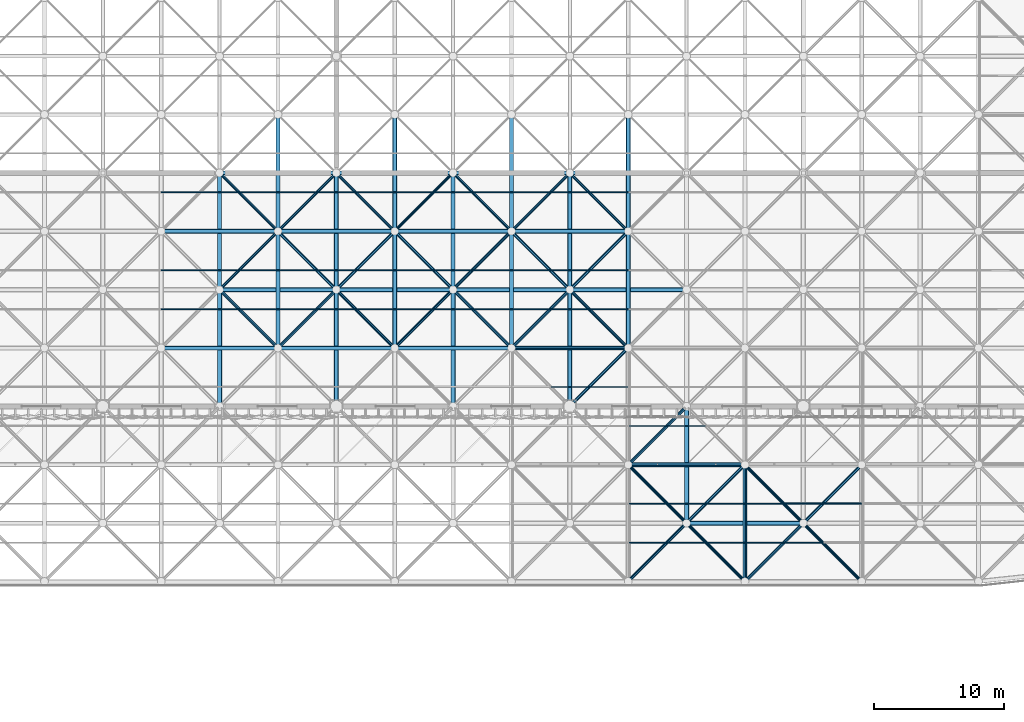
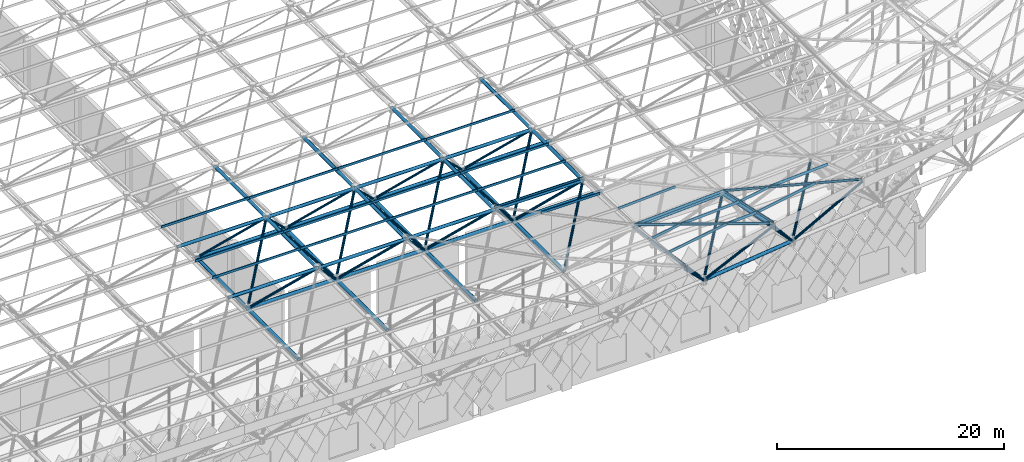
# One storey, part 87 of 437: 93 members.
"""IFC4 building model written with IfcOpenShell, lengths in metres."""

from ifc_helpers import new_model, si_unit, direction, frame, origin, origin_2d, place, context, subcontext, project, spatial, polyline, hollow_circle, outline, extrude, material, material_profile, profile_set, type_object, element, save


model = new_model("IFC4")

# Units and contexts
model_context = context("Model", 3, precision=1e-05, world=origin(), true_north=direction((0.0, 1.0)))
body_context = subcontext(model_context, "Body", "Model", "MODEL_VIEW")
ifc_project = project(units=[si_unit("LENGTHUNIT", "METRE"), si_unit("AREAUNIT", "SQUARE_METRE"), si_unit("VOLUMEUNIT", "CUBIC_METRE"), si_unit("PLANEANGLEUNIT", "RADIAN"), si_unit("MASSUNIT", "GRAM", prefix="KILO")], contexts=[model_context])

# Site, building, storey
site_placement = place(None, origin())
site = spatial("IfcSite", under=ifc_project, at=site_placement, CompositionType="ELEMENT")
building_placement = place(site_placement, origin())
building = spatial("IfcBuilding", under=site, at=building_placement, Name="Opaline Strait Convention Centre", CompositionType="ELEMENT")
storey_placement = place(building_placement, frame((0.0, 0.0, 11.5)))
storey = spatial("IfcBuildingStorey", under=building, at=storey_placement, Name="L02", CompositionType="ELEMENT", Elevation=11.5)

# Members
ifc_material = material(Name="Steel Q355B", Category="steel")
ifc_material_profile_1 = material_profile(ifc_material, outline(polyline([(-0.03759765625, -0.125), (0.03759765625, -0.125), (0.03759765625, -0.10498046875), (0.034912109375, -0.10498046875), (0.034912109375, -0.12255859375), (-0.034912109375, -0.12255859375), (-0.034912109375, 0.12255859375), (0.034912109375, 0.12255859375), (0.034912109375, 0.10498046875), (0.03759765625, 0.10498046875), (0.03759765625, 0.125), (-0.03759765625, 0.125), (-0.03759765625, -0.125)])), Name="C 250x75x20x2.5")
ifc_profile_set_1 = profile_set([ifc_material_profile_1], Name="Steel Q355B")
member_type_1 = type_object("IfcMemberType", Name="Roof purlin C 250x75x20x2.5", PredefinedType="PURLIN", material=ifc_profile_set_1)
member_1_placement = place(storey_placement, frame((238.5, 40.5, 21.121826171875), z_axis=(-0.694204223982, 0.694204223982, -0.190160434401), x_axis=(-0.717833830455, -0.687135763969, 0.112067094763)))
element("IfcMember", 1, at=member_1_placement, inside=storey, type_object=member_type_1, Name="EXB-RF-F-16-0", PredefinedType="PURLIN", context=body_context, shape_type="SweptSolid", body=[
    extrude(outline(polyline([(-0.03759765625, -0.125), (0.03759765625, -0.125), (0.03759765625, -0.10498046875), (0.034912109375, -0.10498046875), (0.034912109375, -0.12255859375), (-0.034912109375, -0.12255859375), (-0.034912109375, 0.12255859375), (0.034912109375, 0.12255859375), (0.034912109375, 0.10498046875), (0.03759765625, 0.10498046875), (0.03759765625, 0.125), (-0.03759765625, 0.125), (-0.03759765625, -0.125)])), origin(), (0.0, 0.0, 1.0), 12.964599609375),
])
member_2_placement = place(storey_placement, frame((229.449951171875, 49.434326171875, 18.671630859375), z_axis=(0.998533323421, 0.0, 0.054140576451), x_axis=(0.011602359597, 0.976767751484, -0.213986319453)))
element("IfcMember", 2, at=member_2_placement, inside=storey, type_object=member_type_1, Name="EXB-RF-E-16-0a", PredefinedType="PURLIN", context=body_context, shape_type="SweptSolid", body=[
    extrude(outline(polyline([(-0.03759765625, -0.125), (0.03759765625, -0.125), (0.03759765625, -0.10498046875), (0.034912109375, -0.10498046875), (0.034912109375, -0.12255859375), (-0.034912109375, -0.12255859375), (-0.034912109375, 0.12255859375), (0.034912109375, 0.12255859375), (0.034912109375, 0.10498046875), (0.03759765625, 0.10498046875), (0.03759765625, 0.125), (-0.03759765625, 0.125), (-0.03759765625, -0.125)])), origin(), (0.0, 0.0, 1.0), 9.113525390625),
])
member_3_placement = place(storey_placement, frame((235.550048828125, 43.5, 20.30615234375), z_axis=(0.998533955365, 0.0, 0.054128920033), x_axis=(0.011616101995, 0.976701876974, -0.214286046418)))
element("IfcMember", 3, at=member_3_placement, inside=storey, type_object=member_type_1, Name="EXB-RF-P-16-0-0a", PredefinedType="PURLIN", context=body_context, shape_type="SweptSolid", body=[
    extrude(outline(polyline([(-0.03759765625, -0.125), (0.03759765625, -0.125), (0.03759765625, -0.10498046875), (0.034912109375, -0.10498046875), (0.034912109375, -0.12255859375), (-0.034912109375, -0.12255859375), (-0.034912109375, 0.12255859375), (0.034912109375, 0.12255859375), (0.034912109375, 0.10498046875), (0.03759765625, 0.10498046875), (0.03759765625, 0.125), (-0.03759765625, 0.125), (-0.03759765625, -0.125)])), origin(), (0.0, 0.0, 1.0), 2.954345703125),
])
member_4_placement = place(storey_placement, frame((232.550048828125, 46.5, 19.484375), z_axis=(0.998534204977, 0.0, 0.05412431516), x_axis=(0.011615113786, 0.976701876974, -0.214286099985)))
element("IfcMember", 4, at=member_4_placement, inside=storey, type_object=member_type_1, Name="EXB-RF-P-16-0-1a", PredefinedType="PURLIN", context=body_context, shape_type="SweptSolid", body=[
    extrude(outline(polyline([(-0.03759765625, -0.125), (0.03759765625, -0.125), (0.03759765625, -0.10498046875), (0.034912109375, -0.10498046875), (0.034912109375, -0.12255859375), (-0.034912109375, -0.12255859375), (-0.034912109375, 0.12255859375), (0.034912109375, 0.12255859375), (0.034912109375, 0.10498046875), (0.03759765625, 0.10498046875), (0.03759765625, 0.125), (-0.03759765625, 0.125), (-0.03759765625, -0.125)])), origin(), (0.0, 0.0, 1.0), 5.958740234375),
])
member_5_placement = place(storey_placement, frame((229.594482421875, 43.5, 19.30224609375), z_axis=(0.985905248574, 0.0, 0.167304634827), x_axis=(0.017342598278, 0.994612915883, -0.102197758502)))
element("IfcMember", 5, at=member_5_placement, inside=storey, type_object=member_type_1, Name="EXB-RF-P-16-0-0b", PredefinedType="PURLIN", context=body_context, shape_type="SweptSolid", body=[
    extrude(outline(polyline([(-0.03759765625, -0.125), (0.03759765625, -0.125), (0.03759765625, -0.10498046875), (0.034912109375, -0.10498046875), (0.034912109375, -0.12255859375), (-0.034912109375, -0.12255859375), (-0.034912109375, 0.12255859375), (0.034912109375, 0.12255859375), (0.034912109375, 0.10498046875), (0.03759765625, 0.10498046875), (0.03759765625, 0.125), (-0.03759765625, 0.125), (-0.03759765625, -0.125)])), origin(), (0.0, 0.0, 1.0), 5.939208984375),
])
member_6_placement = place(storey_placement, frame((229.594482421875, 46.5, 18.989501953125), z_axis=(0.985902048342, 0.0, 0.167323492301), x_axis=(0.017344553021, 0.994612915883, -0.10219742677)))
element("IfcMember", 6, at=member_6_placement, inside=storey, type_object=member_type_1, Name="EXB-RF-P-16-0-1b", PredefinedType="PURLIN", context=body_context, shape_type="SweptSolid", body=[
    extrude(outline(polyline([(-0.03759765625, -0.125), (0.03759765625, -0.125), (0.03759765625, -0.10498046875), (0.034912109375, -0.10498046875), (0.034912109375, -0.12255859375), (-0.034912109375, -0.12255859375), (-0.034912109375, 0.12255859375), (0.034912109375, 0.12255859375), (0.034912109375, 0.10498046875), (0.03759765625, 0.10498046875), (0.03759765625, 0.125), (-0.03759765625, 0.125), (-0.03759765625, -0.125)])), origin(), (0.0, 0.0, 1.0), 2.896240234375),
])
member_7_placement = place(storey_placement, frame((247.5, 40.5, 22.706787109375), z_axis=(-0.680936695779, 0.680936695779, -0.269537442079), x_axis=(-0.712454430671, -0.701135507774, 0.028595173634)))
element("IfcMember", 7, at=member_7_placement, inside=storey, type_object=member_type_1, Name="EXB-RF-F-17-0", PredefinedType="PURLIN", context=body_context, shape_type="SweptSolid", body=[
    extrude(outline(polyline([(-0.03759765625, -0.125), (0.03759765625, -0.125), (0.03759765625, -0.10498046875), (0.034912109375, -0.10498046875), (0.034912109375, -0.12255859375), (-0.034912109375, -0.12255859375), (-0.034912109375, 0.12255859375), (0.034912109375, 0.12255859375), (0.034912109375, 0.10498046875), (0.03759765625, 0.10498046875), (0.03759765625, 0.125), (-0.03759765625, 0.125), (-0.03759765625, -0.125)])), origin(), (0.0, 0.0, 1.0), 13.217041015625),
])
member_8_placement = place(storey_placement, frame((241.550048828125, 46.5, 20.33935546875), z_axis=(0.998389085659, 0.0, 0.056738290741), x_axis=(0.01821382469, 0.94707421578, -0.320497560669)))
element("IfcMember", 8, at=member_8_placement, inside=storey, type_object=member_type_1, Name="EXB-RF-P-17-0-1a", PredefinedType="PURLIN", context=body_context, shape_type="SweptSolid", body=[
    extrude(outline(polyline([(-0.03759765625, -0.125), (0.03759765625, -0.125), (0.03759765625, -0.10498046875), (0.034912109375, -0.10498046875), (0.034912109375, -0.12255859375), (-0.034912109375, -0.12255859375), (-0.034912109375, 0.12255859375), (0.034912109375, 0.12255859375), (0.034912109375, 0.10498046875), (0.03759765625, 0.10498046875), (0.03759765625, 0.125), (-0.03759765625, 0.125), (-0.03759765625, -0.125)])), origin(), (0.0, 0.0, 1.0), 5.95947265625),
])
member_9_placement = place(storey_placement, frame((238.560302734375, 49.550048828125, 19.149169921875), z_axis=(0.0, -0.976700958406, 0.214604841159), x_axis=(0.985529741381, 0.036376076933, 0.165553344517)))
element("IfcMember", 9, at=member_9_placement, inside=storey, type_object=member_type_1, Name="EXB-RF-E-17-0b", PredefinedType="PURLIN", context=body_context, shape_type="SweptSolid", body=[
    extrude(outline(polyline([(-0.03759765625, -0.125), (0.03759765625, -0.125), (0.03759765625, -0.10498046875), (0.034912109375, -0.10498046875), (0.034912109375, -0.12255859375), (-0.034912109375, -0.12255859375), (-0.034912109375, 0.12255859375), (0.034912109375, 0.12255859375), (0.034912109375, 0.10498046875), (0.03759765625, 0.10498046875), (0.03759765625, 0.125), (-0.03759765625, 0.125), (-0.03759765625, -0.125)])), origin(), (0.0, 0.0, 1.0), 9.317138671875),
])
member_10_placement = place(storey_placement, frame((238.5947265625, 43.5, 20.484375), z_axis=(0.984841792486, 0.0, 0.17345501945), x_axis=(0.037223561752, 0.976701876974, -0.21134769922)))
element("IfcMember", 10, at=member_10_placement, inside=storey, type_object=member_type_1, Name="EXB-RF-P-17-0-0b", PredefinedType="PURLIN", context=body_context, shape_type="SweptSolid", body=[
    extrude(outline(polyline([(-0.03759765625, -0.125), (0.03759765625, -0.125), (0.03759765625, -0.10498046875), (0.034912109375, -0.10498046875), (0.034912109375, -0.12255859375), (-0.034912109375, -0.12255859375), (-0.034912109375, 0.12255859375), (0.034912109375, 0.12255859375), (0.034912109375, 0.10498046875), (0.03759765625, 0.10498046875), (0.03759765625, 0.125), (-0.03759765625, 0.125), (-0.03759765625, -0.125)])), origin(), (0.0, 0.0, 1.0), 5.9453125),
])
member_11_placement = place(storey_placement, frame((238.5947265625, 46.5, 19.8251953125), z_axis=(0.984838613321, 0.0, 0.173473069127), x_axis=(0.037227435225, 0.976701876974, -0.211347016969)))
element("IfcMember", 11, at=member_11_placement, inside=storey, type_object=member_type_1, Name="EXB-RF-P-17-0-1b", PredefinedType="PURLIN", context=body_context, shape_type="SweptSolid", body=[
    extrude(outline(polyline([(-0.03759765625, -0.125), (0.03759765625, -0.125), (0.03759765625, -0.10498046875), (0.034912109375, -0.10498046875), (0.034912109375, -0.12255859375), (-0.034912109375, -0.12255859375), (-0.034912109375, 0.12255859375), (0.034912109375, 0.12255859375), (0.034912109375, 0.10498046875), (0.03759765625, 0.10498046875), (0.03759765625, 0.125), (-0.03759765625, 0.125), (-0.03759765625, -0.125)])), origin(), (0.0, 0.0, 1.0), 2.899169921875),
])
member_12_placement = place(storey_placement, frame((229.550048828125, 58.45458984375, 18.259033203125), z_axis=(-1.0, 0.0, 0.0), x_axis=(0.0, -0.999004644434, 0.044606282058)))
element("IfcMember", 12, at=member_12_placement, inside=storey, type_object=member_type_1, Name="EXB-RF-E-15-1a", PredefinedType="PURLIN", context=body_context, shape_type="SweptSolid", body=[
    extrude(outline(polyline([(-0.03759765625, -0.125), (0.03759765625, -0.125), (0.03759765625, -0.10498046875), (0.034912109375, -0.10498046875), (0.034912109375, -0.12255859375), (-0.034912109375, -0.12255859375), (-0.034912109375, 0.12255859375), (0.034912109375, 0.12255859375), (0.034912109375, 0.10498046875), (0.03759765625, 0.10498046875), (0.03759765625, 0.125), (-0.03759765625, 0.125), (-0.03759765625, -0.125)])), origin(), (0.0, 0.0, 1.0), 9.10009765625),
])
member_13_placement = place(storey_placement, frame((223.550048828125, 55.5, 18.390869140625), z_axis=(1.0, 0.0, 0.0), x_axis=(0.0, 0.999004644434, -0.044606282058)))
element("IfcMember", 13, at=member_13_placement, inside=storey, type_object=member_type_1, Name="EXB-RF-P-15-1-1a", PredefinedType="PURLIN", context=body_context, shape_type="SweptSolid", body=[
    extrude(outline(polyline([(-0.03759765625, -0.125), (0.03759765625, -0.125), (0.03759765625, -0.10498046875), (0.034912109375, -0.10498046875), (0.034912109375, -0.12255859375), (-0.034912109375, -0.12255859375), (-0.034912109375, 0.12255859375), (0.034912109375, 0.12255859375), (0.034912109375, 0.10498046875), (0.03759765625, 0.10498046875), (0.03759765625, 0.125), (-0.03759765625, 0.125), (-0.03759765625, -0.125)])), origin(), (0.0, 0.0, 1.0), 5.949951171875),
])
member_14_placement = place(storey_placement, frame((229.5810546875, 52.5, 18.529541015625), z_axis=(0.998534214741, 0.0, 0.054124135023), x_axis=(0.002414276433, 0.999004644434, -0.044540898827)))
element("IfcMember", 14, at=member_14_placement, inside=storey, type_object=member_type_1, Name="EXB-RF-P-16-1-0b", PredefinedType="PURLIN", context=body_context, shape_type="SweptSolid", body=[
    extrude(outline(polyline([(-0.03759765625, -0.125), (0.03759765625, -0.125), (0.03759765625, -0.10498046875), (0.034912109375, -0.10498046875), (0.034912109375, -0.12255859375), (-0.034912109375, -0.12255859375), (-0.034912109375, 0.12255859375), (0.034912109375, 0.12255859375), (0.034912109375, 0.10498046875), (0.03759765625, 0.10498046875), (0.03759765625, 0.125), (-0.03759765625, 0.125), (-0.03759765625, -0.125)])), origin(), (0.0, 0.0, 1.0), 5.87744140625),
])
for number, where, z_axis, x_axis, name in (
    (15, (193.5, 61.5, 18.257080078125), (1.0, 0.0, 0.0), (0.0, 1.0, 0.0), "EXB-RF-P-12-2-0"),
    (16, (193.5, 64.5, 18.257080078125), (1.0, 0.0, 0.0), (0.0, 1.0, 0.0), "EXB-RF-P-12-2-1"),
    (17, (202.5, 61.5, 18.257080078125), (1.0, 0.0, 0.0), (0.0, 1.0, 0.0), "EXB-RF-P-13-2-0"),
    (18, (202.5, 64.5, 18.257080078125), (1.0, 0.0, 0.0), (0.0, 1.0, 0.0), "EXB-RF-P-13-2-1"),
    (19, (211.5, 61.5, 18.257080078125), (1.0, 0.0, 0.0), (0.0, 1.0, 0.0), "EXB-RF-P-14-2-0"),
    (20, (211.5, 64.5, 18.257080078125), (1.0, 0.0, 0.0), (0.0, 1.0, 0.0), "EXB-RF-P-14-2-1"),
    (21, (220.5, 61.5, 18.257080078125), (1.0, 0.0, 0.0), (0.0, 1.0, 0.0), "EXB-RF-P-15-2-0"),
    (22, (220.5, 64.5, 18.257080078125), (1.0, 0.0, 0.0), (0.0, 1.0, 0.0), "EXB-RF-P-15-2-1"),
    (23, (193.5, 70.5, 18.257080078125), (1.0, 0.0, 0.0), (0.0, 1.0, 0.0), "EXB-RF-P-12-3-0"),
    (24, (202.5, 70.5, 18.257080078125), (1.0, 0.0, 0.0), (0.0, 1.0, 0.0), "EXB-RF-P-13-3-0"),
    (25, (211.5, 70.5, 18.257080078125), (1.0, 0.0, 0.0), (0.0, 1.0, 0.0), "EXB-RF-P-14-3-0"),
    (26, (220.5, 70.5, 18.257080078125), (1.0, 0.0, 0.0), (0.0, 1.0, 0.0), "EXB-RF-P-15-3-0"),
):
    element("IfcMember", number, at=place(storey_placement, frame(where, z_axis=z_axis, x_axis=x_axis)), inside=storey, type_object=member_type_1, Name=name, PredefinedType="PURLIN", context=body_context, shape_type="SweptSolid", body=[
        extrude(outline(polyline([(-0.03759765625, -0.125), (0.03759765625, -0.125), (0.03759765625, -0.10498046875), (0.034912109375, -0.10498046875), (0.034912109375, -0.12255859375), (-0.034912109375, -0.12255859375), (-0.034912109375, 0.12255859375), (0.034912109375, 0.12255859375), (0.034912109375, 0.10498046875), (0.03759765625, 0.10498046875), (0.03759765625, 0.125), (-0.03759765625, 0.125), (-0.03759765625, -0.125)])), origin(), (0.0, 0.0, 1.0), 9.0),
    ])
ifc_material_profile_2 = material_profile(ifc_material, hollow_circle(Radius=0.16259765625, WallThickness=0.013916015625, at=origin_2d()), Name="CHS 325x14")
ifc_profile_set_2 = profile_set([ifc_material_profile_2], Name="Steel Q355B")
member_type_2 = type_object("IfcMemberType", Name="Space frame bottom chord CHS 325x14", PredefinedType="CHORD", material=ifc_profile_set_2)
for number, where, z_axis, x_axis, name in (
    (27, (197.949951171875, 72.0, 12.5), (1.0, 0.0, 0.0), (0.0, 1.0, 0.0), "EXB-RF-BX-12-3"),
    (28, (206.949951171875, 72.0, 12.5), (1.0, 0.0, 0.0), (0.0, 1.0, 0.0), "EXB-RF-BX-13-3"),
    (29, (215.949951171875, 72.0, 12.5), (1.0, 0.0, 0.0), (0.0, 1.0, 0.0), "EXB-RF-BX-14-3"),
    (30, (224.949951171875, 72.0, 12.5), (1.0, 0.0, 0.0), (0.0, 1.0, 0.0), "EXB-RF-BX-15-3"),
    (31, (198.0, 62.949951171875, 12.5), (0.0, 1.0, 0.0), (-1.0, 0.0, 0.0), "EXB-RF-BY-12-2"),
    (32, (216.0, 62.949951171875, 12.5), (0.0, 1.0, 0.0), (-1.0, 0.0, 0.0), "EXB-RF-BY-14-2"),
):
    element("IfcMember", number, at=place(storey_placement, frame(where, z_axis=z_axis, x_axis=x_axis)), inside=storey, type_object=member_type_2, Name=name, PredefinedType="CHORD", context=body_context, shape_type="SweptSolid", body=[
        extrude(hollow_circle(Radius=0.16259765625, WallThickness=0.013916015625, at=origin_2d()), origin(), (0.0, 0.0, 1.0), 9.10009765625),
    ])
ifc_material_profile_3 = material_profile(ifc_material, hollow_circle(Radius=0.175537109375, WallThickness=0.01611328125, at=origin_2d()), Name="CHS 351x16")
ifc_profile_set_3 = profile_set([ifc_material_profile_3], Name="Steel Q355B")
member_type_3 = type_object("IfcMemberType", Name="Space frame bottom chord CHS 351x16", PredefinedType="CHORD", material=ifc_profile_set_3)
member_15_placement = place(storey_placement, frame((233.950439453125, 45.0, 13.8486328125), z_axis=(0.993180584954, 0.0, 0.116586129841), x_axis=(0.0, 1.0, 0.0)))
element("IfcMember", 33, at=member_15_placement, inside=storey, type_object=member_type_3, Name="EXB-RF-BX-16-0", PredefinedType="CHORD", context=body_context, shape_type="SweptSolid", body=[
    extrude(hollow_circle(Radius=0.175537109375, WallThickness=0.01611328125, at=origin_2d()), origin(), (0.0, 0.0, 1.0), 9.16162109375),
])
for number, where, z_axis, x_axis, name in (
    (34, (197.949951171875, 63.0, 12.5), (1.0, 0.0, 0.0), (0.0, 1.0, 0.0), "EXB-RF-BX-12-2"),
    (35, (206.949951171875, 63.0, 12.5), (1.0, 0.0, 0.0), (0.0, 1.0, 0.0), "EXB-RF-BX-13-2"),
    (36, (215.949951171875, 63.0, 12.5), (1.0, 0.0, 0.0), (0.0, 1.0, 0.0), "EXB-RF-BX-14-2"),
    (37, (224.949951171875, 63.0, 12.5), (1.0, 0.0, 0.0), (0.0, 1.0, 0.0), "EXB-RF-BX-15-2"),
    (38, (198.0, 53.949951171875, 12.5), (0.0, 1.0, 0.0), (-1.0, 0.0, 0.0), "EXB-RF-BY-12-1"),
    (39, (207.0, 53.949951171875, 12.5), (0.0, 1.0, 0.0), (-1.0, 0.0, 0.0), "EXB-RF-BY-13-1"),
    (40, (207.0, 62.949951171875, 12.5), (0.0, 1.0, 0.0), (-1.0, 0.0, 0.0), "EXB-RF-BY-13-2"),
    (41, (216.0, 53.949951171875, 12.5), (0.0, 1.0, 0.0), (-1.0, 0.0, 0.0), "EXB-RF-BY-14-1"),
    (42, (225.0, 53.949951171875, 12.5), (0.0, 1.0, 0.0), (-1.0, 0.0, 0.0), "EXB-RF-BY-15-1"),
    (43, (225.0, 62.949951171875, 12.5), (0.0, 1.0, 0.0), (-1.0, 0.0, 0.0), "EXB-RF-BY-15-2"),
):
    element("IfcMember", number, at=place(storey_placement, frame(where, z_axis=z_axis, x_axis=x_axis)), inside=storey, type_object=member_type_3, Name=name, PredefinedType="CHORD", context=body_context, shape_type="SweptSolid", body=[
        extrude(hollow_circle(Radius=0.175537109375, WallThickness=0.01611328125, at=origin_2d()), origin(), (0.0, 0.0, 1.0), 9.10009765625),
    ])
member_16_placement = place(storey_placement, frame((234.0, 44.950439453125, 13.862060546875), z_axis=(0.0, 0.988864228986, -0.148820484582), x_axis=(-1.0, 0.0, 0.0)))
element("IfcMember", 44, at=member_16_placement, inside=storey, type_object=member_type_3, Name="EXB-RF-BY-16-0", PredefinedType="CHORD", context=body_context, shape_type="SweptSolid", body=[
    extrude(hollow_circle(Radius=0.175537109375, WallThickness=0.01611328125, at=origin_2d()), origin(), (0.0, 0.0, 1.0), 9.20166015625),
])
ifc_material_profile_4 = material_profile(ifc_material, hollow_circle(Radius=0.16259765625, WallThickness=0.013916015625, at=origin_2d()), Name="CHS 325x14")
ifc_profile_set_4 = profile_set([ifc_material_profile_4], Name="Steel Q355B")
member_type_4 = type_object("IfcMemberType", Name="Space frame top chord CHS 325x14", PredefinedType="CHORD", material=ifc_profile_set_4)
for number, where, z_axis, x_axis, name in (
    (45, (193.449951171875, 67.5, 17.971435546875), (1.0, 0.0, 0.0), (0.0, 1.0, 0.0), "EXB-RF-TX-12-3"),
    (46, (211.449951171875, 67.5, 17.971435546875), (1.0, 0.0, 0.0), (0.0, 1.0, 0.0), "EXB-RF-TX-14-3"),
    (47, (202.5, 67.449951171875, 17.971435546875), (0.0, 1.0, 0.0), (-1.0, 0.0, 0.0), "EXB-RF-TY-13-3"),
    (48, (211.5, 67.449951171875, 17.971435546875), (0.0, 1.0, 0.0), (-1.0, 0.0, 0.0), "EXB-RF-TY-14-3"),
    (49, (220.5, 67.449951171875, 17.971435546875), (0.0, 1.0, 0.0), (-1.0, 0.0, 0.0), "EXB-RF-TY-15-3"),
    (50, (229.5, 67.449951171875, 17.971435546875), (0.0, 1.0, 0.0), (-1.0, 0.0, 0.0), "EXB-RF-TY-16-3"),
):
    element("IfcMember", number, at=place(storey_placement, frame(where, z_axis=z_axis, x_axis=x_axis)), inside=storey, type_object=member_type_4, Name=name, PredefinedType="CHORD", context=body_context, shape_type="SweptSolid", body=[
        extrude(hollow_circle(Radius=0.16259765625, WallThickness=0.013916015625, at=origin_2d()), origin(), (0.0, 0.0, 1.0), 9.10009765625),
    ])
ifc_material_profile_5 = material_profile(ifc_material, hollow_circle(Radius=0.16259765625, WallThickness=0.02001953125, at=origin_2d()), Name="CHS 325x20")
ifc_profile_set_5 = profile_set([ifc_material_profile_5], Name="Steel Q355B")
member_type_5 = type_object("IfcMemberType", Name="Space frame top chord CHS 325x20", PredefinedType="CHORD", material=ifc_profile_set_5)
member_17_placement = place(storey_placement, frame((229.4501953125, 49.5, 18.37060546875), z_axis=(0.99853316636, 0.0, 0.054143473095), x_axis=(0.0, 1.0, 0.0)))
element("IfcMember", 51, at=member_17_placement, inside=storey, type_object=member_type_5, Name="EXB-RF-TX-16-1", PredefinedType="CHORD", context=body_context, shape_type="SweptSolid", body=[
    extrude(hollow_circle(Radius=0.16259765625, WallThickness=0.02001953125, at=origin_2d()), origin(), (0.0, 0.0, 1.0), 9.113037109375),
])
for number, where, z_axis, x_axis, name in (
    (52, (193.449951171875, 58.5, 17.971435546875), (1.0, 0.0, 0.0), (0.0, 1.0, 0.0), "EXB-RF-TX-12-2"),
    (53, (202.449951171875, 58.5, 17.971435546875), (1.0, 0.0, 0.0), (0.0, 1.0, 0.0), "EXB-RF-TX-13-2"),
    (54, (211.449951171875, 58.5, 17.971435546875), (1.0, 0.0, 0.0), (0.0, 1.0, 0.0), "EXB-RF-TX-14-2"),
    (55, (220.449951171875, 58.5, 17.971435546875), (1.0, 0.0, 0.0), (0.0, 1.0, 0.0), "EXB-RF-TX-15-2"),
    (56, (202.449951171875, 67.5, 17.971435546875), (1.0, 0.0, 0.0), (0.0, 1.0, 0.0), "EXB-RF-TX-13-3"),
    (57, (220.449951171875, 67.5, 17.971435546875), (1.0, 0.0, 0.0), (0.0, 1.0, 0.0), "EXB-RF-TX-15-3"),
    (58, (202.5, 58.449951171875, 17.971435546875), (0.0, 1.0, 0.0), (-1.0, 0.0, 0.0), "EXB-RF-TY-13-2"),
    (59, (211.5, 58.449951171875, 17.971435546875), (0.0, 1.0, 0.0), (-1.0, 0.0, 0.0), "EXB-RF-TY-14-2"),
    (60, (220.5, 58.449951171875, 17.971435546875), (0.0, 1.0, 0.0), (-1.0, 0.0, 0.0), "EXB-RF-TY-15-2"),
    (61, (229.5, 58.449951171875, 17.971435546875), (0.0, 1.0, 0.0), (-1.0, 0.0, 0.0), "EXB-RF-TY-16-2"),
):
    element("IfcMember", number, at=place(storey_placement, frame(where, z_axis=z_axis, x_axis=x_axis)), inside=storey, type_object=member_type_5, Name=name, PredefinedType="CHORD", context=body_context, shape_type="SweptSolid", body=[
        extrude(hollow_circle(Radius=0.16259765625, WallThickness=0.02001953125, at=origin_2d()), origin(), (0.0, 0.0, 1.0), 9.10009765625),
    ])
member_18_placement = place(storey_placement, frame((238.5, 40.451171875, 20.849365234375), z_axis=(0.0, 0.976705368416, -0.214584769515), x_axis=(-1.0, 0.0, 0.0)))
element("IfcMember", 62, at=member_18_placement, inside=storey, type_object=member_type_5, Name="EXB-RF-TY-17-0", PredefinedType="CHORD", context=body_context, shape_type="SweptSolid", body=[
    extrude(hollow_circle(Radius=0.16259765625, WallThickness=0.02001953125, at=origin_2d()), origin(), (0.0, 0.0, 1.0), 9.314697265625),
])
ifc_material_profile_6 = material_profile(ifc_material, hollow_circle(Radius=0.109619140625, WallThickness=0.010009765625, at=origin_2d()), Name="CHS 219x10")
ifc_profile_set_6 = profile_set([ifc_material_profile_6], Name="Steel Q355B")
member_type_6 = type_object("IfcMemberType", Name="Space frame web CHS 219x10", PredefinedType="BRACE", material=ifc_profile_set_6)
for number, where, z_axis, x_axis, name in (
    (63, (202.52685546875, 67.47314453125, 18.004150390625), (-0.536178220346, 0.536178220346, -0.6519400525), (-0.707106781187, -0.707106781187, 0.0), "EXB-RF-W-12-3-10"),
    (64, (202.47314453125, 67.47314453125, 18.004150390625), (0.536178220346, 0.536178220346, -0.6519400525), (-0.707106781187, 0.707106781187, 0.0), "EXB-RF-W-13-3-00"),
    (65, (211.52685546875, 67.47314453125, 18.004150390625), (-0.536178220346, 0.536178220346, -0.6519400525), (-0.707106781187, -0.707106781187, 0.0), "EXB-RF-W-13-3-10"),
    (66, (211.47314453125, 67.47314453125, 18.004150390625), (0.536178220346, 0.536178220346, -0.6519400525), (-0.707106781187, 0.707106781187, 0.0), "EXB-RF-W-14-3-00"),
    (67, (220.52685546875, 67.47314453125, 18.004150390625), (-0.536178220346, 0.536178220346, -0.6519400525), (-0.707106781187, -0.707106781187, 0.0), "EXB-RF-W-14-3-10"),
    (68, (220.47314453125, 67.47314453125, 18.004150390625), (0.536178220346, 0.536178220346, -0.6519400525), (-0.707106781187, 0.707106781187, 0.0), "EXB-RF-W-15-3-00"),
    (69, (229.52685546875, 67.47314453125, 18.004150390625), (-0.536178220346, 0.536178220346, -0.6519400525), (-0.707106781187, -0.707106781187, 0.0), "EXB-RF-W-15-3-10"),
):
    element("IfcMember", number, at=place(storey_placement, frame(where, z_axis=z_axis, x_axis=x_axis)), inside=storey, type_object=member_type_6, Name=name, PredefinedType="BRACE", context=body_context, shape_type="SweptSolid", body=[
        extrude(hollow_circle(Radius=0.109619140625, WallThickness=0.010009765625, at=origin_2d()), origin(), (0.0, 0.0, 1.0), 8.492919921875),
    ])
ifc_material_profile_7 = material_profile(ifc_material, hollow_circle(Radius=0.12255859375, WallThickness=0.011962890625, at=origin_2d()), Name="CHS 245x12")
ifc_profile_set_7 = profile_set([ifc_material_profile_7], Name="Steel Q355B")
member_type_7 = type_object("IfcMemberType", Name="Space frame web CHS 245x12", PredefinedType="BRACE", material=ifc_profile_set_7)
for number, where, z_axis, x_axis, name in (
    (70, (202.52685546875, 58.47314453125, 18.004150390625), (-0.536178220346, 0.536178220346, -0.6519400525), (-0.707106781187, -0.707106781187, 0.0), "EXB-RF-W-12-2-10"),
    (71, (202.52685546875, 67.52685546875, 18.004150390625), (-0.536178220346, -0.536178220346, -0.6519400525), (0.707106781187, -0.707106781187, 0.0), "EXB-RF-W-12-2-11"),
    (72, (202.47314453125, 58.47314453125, 18.004150390625), (0.536178220346, 0.536178220346, -0.6519400525), (-0.707106781187, 0.707106781187, 0.0), "EXB-RF-W-13-2-00"),
    (73, (202.47314453125, 67.52685546875, 18.004150390625), (0.536178220346, -0.536178220346, -0.6519400525), (0.707106781187, 0.707106781187, 0.0), "EXB-RF-W-13-2-01"),
    (74, (211.52685546875, 58.47314453125, 18.004150390625), (-0.536178220346, 0.536178220346, -0.6519400525), (-0.707106781187, -0.707106781187, 0.0), "EXB-RF-W-13-2-10"),
    (75, (211.52685546875, 67.52685546875, 18.004150390625), (-0.536178220346, -0.536178220346, -0.6519400525), (0.707106781187, -0.707106781187, 0.0), "EXB-RF-W-13-2-11"),
    (76, (211.47314453125, 58.47314453125, 18.004150390625), (0.536178220346, 0.536178220346, -0.6519400525), (-0.707106781187, 0.707106781187, 0.0), "EXB-RF-W-14-2-00"),
    (77, (211.47314453125, 67.52685546875, 18.004150390625), (0.536178220346, -0.536178220346, -0.6519400525), (0.707106781187, 0.707106781187, 0.0), "EXB-RF-W-14-2-01"),
    (78, (220.52685546875, 58.47314453125, 18.004150390625), (-0.536178220346, 0.536178220346, -0.6519400525), (-0.707106781187, -0.707106781187, 0.0), "EXB-RF-W-14-2-10"),
    (79, (220.52685546875, 67.52685546875, 18.004150390625), (-0.536178220346, -0.536178220346, -0.6519400525), (0.707106781187, -0.707106781187, 0.0), "EXB-RF-W-14-2-11"),
    (80, (229.52685546875, 58.52685546875, 18.004150390625), (-0.536178220346, -0.536178220346, -0.6519400525), (0.707106781187, -0.707106781187, 0.0), "EXB-RF-W-15-1-11"),
    (81, (220.47314453125, 58.47314453125, 18.004150390625), (0.536178220346, 0.536178220346, -0.6519400525), (-0.707106781187, 0.707106781187, 0.0), "EXB-RF-W-15-2-00"),
    (82, (220.47314453125, 67.52685546875, 18.004150390625), (0.536178220346, -0.536178220346, -0.6519400525), (0.707106781187, 0.707106781187, 0.0), "EXB-RF-W-15-2-01"),
    (83, (229.52685546875, 58.47314453125, 18.004150390625), (-0.536178220346, 0.536178220346, -0.6519400525), (-0.707106781187, -0.707106781187, 0.0), "EXB-RF-W-15-2-10"),
    (84, (229.52685546875, 67.52685546875, 18.004150390625), (-0.536178220346, -0.536178220346, -0.6519400525), (0.707106781187, -0.707106781187, 0.0), "EXB-RF-W-15-2-11"),
):
    element("IfcMember", number, at=place(storey_placement, frame(where, z_axis=z_axis, x_axis=x_axis)), inside=storey, type_object=member_type_7, Name=name, PredefinedType="BRACE", context=body_context, shape_type="SweptSolid", body=[
        extrude(hollow_circle(Radius=0.12255859375, WallThickness=0.011962890625, at=origin_2d()), origin(), (0.0, 0.0, 1.0), 8.492919921875),
    ])
member_19_placement = place(storey_placement, frame((229.47314453125, 40.47314453125, 19.343994140625), z_axis=(0.53679140387, 0.53679140387, -0.650930086464), x_axis=(-0.707106781187, 0.707106781187, 0.0)))
element("IfcMember", 85, at=member_19_placement, inside=storey, type_object=member_type_7, Name="EXB-RF-W-16-0-00", PredefinedType="BRACE", context=body_context, shape_type="SweptSolid", body=[
    extrude(hollow_circle(Radius=0.12255859375, WallThickness=0.011962890625, at=origin_2d()), origin(), (0.0, 0.0, 1.0), 8.483154296875),
])
member_20_placement = place(storey_placement, frame((229.47119140625, 49.52880859375, 18.40234375), z_axis=(0.576535854323, -0.576535854323, -0.578975662149), x_axis=(0.707106781187, 0.707106781187, 0.0)))
element("IfcMember", 86, at=member_20_placement, inside=storey, type_object=member_type_7, Name="EXB-RF-W-16-0-01", PredefinedType="BRACE", context=body_context, shape_type="SweptSolid", body=[
    extrude(hollow_circle(Radius=0.12255859375, WallThickness=0.011962890625, at=origin_2d()), origin(), (0.0, 0.0, 1.0), 7.9052734375),
])
member_21_placement = place(storey_placement, frame((238.52392578125, 40.47607421875, 20.875732421875), z_axis=(-0.47626636673, 0.47626636673, -0.739148629062), x_axis=(-0.707106781187, -0.707106781187, 0.0)))
element("IfcMember", 87, at=member_21_placement, inside=storey, type_object=member_type_7, Name="EXB-RF-W-16-0-10", PredefinedType="BRACE", context=body_context, shape_type="SweptSolid", body=[
    extrude(hollow_circle(Radius=0.12255859375, WallThickness=0.011962890625, at=origin_2d()), origin(), (0.0, 0.0, 1.0), 9.549072265625),
])
member_22_placement = place(storey_placement, frame((238.52783203125, 49.52783203125, 18.89208984375), z_axis=(-0.555738694164, -0.555738694164, -0.618311416374), x_axis=(0.707106781187, -0.707106781187, 0.0)))
element("IfcMember", 88, at=member_22_placement, inside=storey, type_object=member_type_7, Name="EXB-RF-W-16-0-11", PredefinedType="BRACE", context=body_context, shape_type="SweptSolid", body=[
    extrude(hollow_circle(Radius=0.12255859375, WallThickness=0.011962890625, at=origin_2d()), origin(), (0.0, 0.0, 1.0), 8.197509765625),
])
member_23_placement = place(storey_placement, frame((229.47412109375, 49.47412109375, 18.4072265625), z_axis=(0.519617871627, 0.519617871627, -0.678228969429), x_axis=(-0.707106781187, 0.707106781187, 0.0)))
element("IfcMember", 89, at=member_23_placement, inside=storey, type_object=member_type_7, Name="EXB-RF-W-16-1-00", PredefinedType="BRACE", context=body_context, shape_type="SweptSolid", body=[
    extrude(hollow_circle(Radius=0.12255859375, WallThickness=0.011962890625, at=origin_2d()), origin(), (0.0, 0.0, 1.0), 8.759765625),
])
member_24_placement = place(storey_placement, frame((238.47412109375, 40.47412109375, 20.872802734375), z_axis=(0.517411806028, 0.517411806028, -0.681593754347), x_axis=(-0.707106781187, 0.707106781187, 0.0)))
element("IfcMember", 90, at=member_24_placement, inside=storey, type_object=member_type_7, Name="EXB-RF-W-17-0-00", PredefinedType="BRACE", context=body_context, shape_type="SweptSolid", body=[
    extrude(hollow_circle(Radius=0.12255859375, WallThickness=0.011962890625, at=origin_2d()), origin(), (0.0, 0.0, 1.0), 8.797119140625),
])
member_25_placement = place(storey_placement, frame((238.469970703125, 49.530029296875, 18.8876953125), z_axis=(0.600769193716, -0.600769193716, -0.527401888283), x_axis=(0.707106781187, 0.707106781187, 0.0)))
element("IfcMember", 91, at=member_25_placement, inside=storey, type_object=member_type_7, Name="EXB-RF-W-17-0-01", PredefinedType="BRACE", context=body_context, shape_type="SweptSolid", body=[
    extrude(hollow_circle(Radius=0.12255859375, WallThickness=0.011962890625, at=origin_2d()), origin(), (0.0, 0.0, 1.0), 7.59033203125),
])
member_26_placement = place(storey_placement, frame((247.52294921875, 40.47705078125, 22.461669921875), z_axis=(-0.457053151729, 0.457053151729, -0.763023481283), x_axis=(-0.707106781187, -0.707106781187, 0.0)))
element("IfcMember", 92, at=member_26_placement, inside=storey, type_object=member_type_7, Name="EXB-RF-W-17-0-10", PredefinedType="BRACE", context=body_context, shape_type="SweptSolid", body=[
    extrude(hollow_circle(Radius=0.12255859375, WallThickness=0.011962890625, at=origin_2d()), origin(), (0.0, 0.0, 1.0), 9.946044921875),
])
member_27_placement = place(storey_placement, frame((247.529052734375, 49.529052734375, 19.401611328125), z_axis=(-0.578978904854, -0.578978904854, -0.574079136939), x_axis=(0.707106781187, -0.707106781187, 0.0)))
element("IfcMember", 93, at=member_27_placement, inside=storey, type_object=member_type_7, Name="EXB-RF-W-17-0-11", PredefinedType="BRACE", context=body_context, shape_type="SweptSolid", body=[
    extrude(hollow_circle(Radius=0.12255859375, WallThickness=0.011962890625, at=origin_2d()), origin(), (0.0, 0.0, 1.0), 7.87255859375),
])

save(model, "model.ifc")
